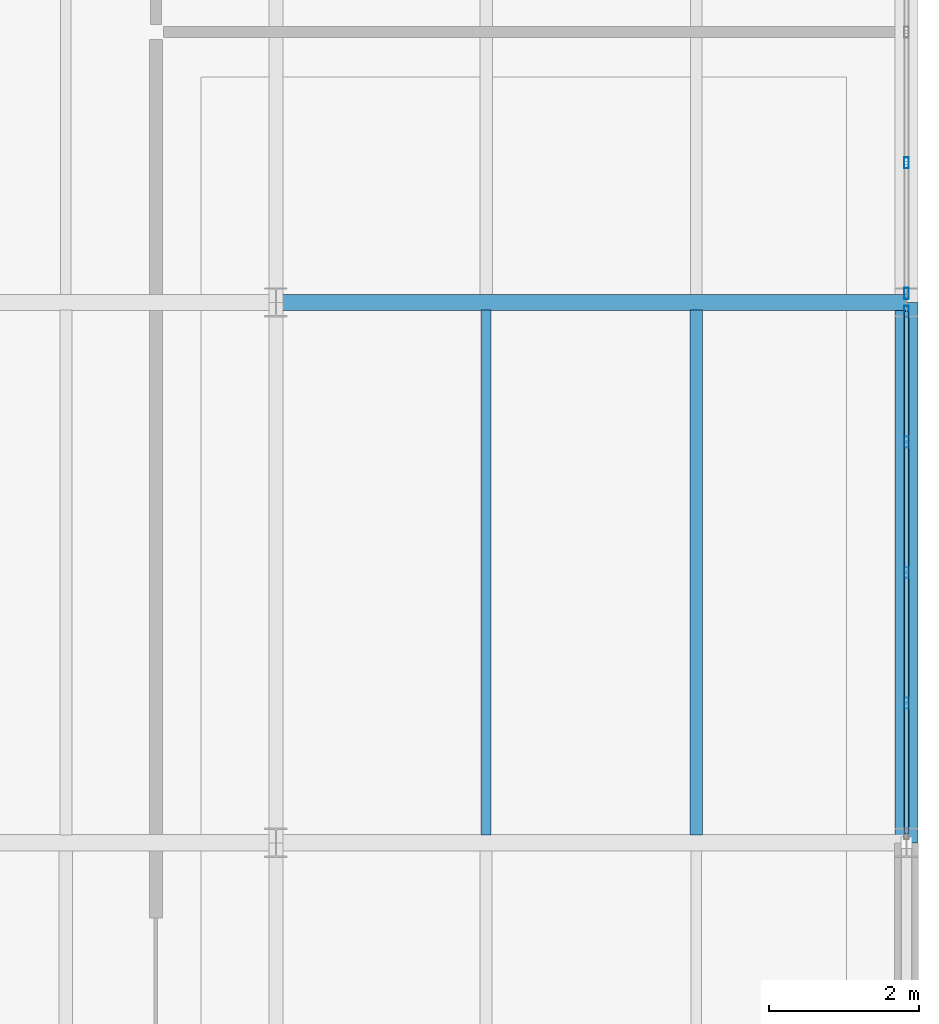
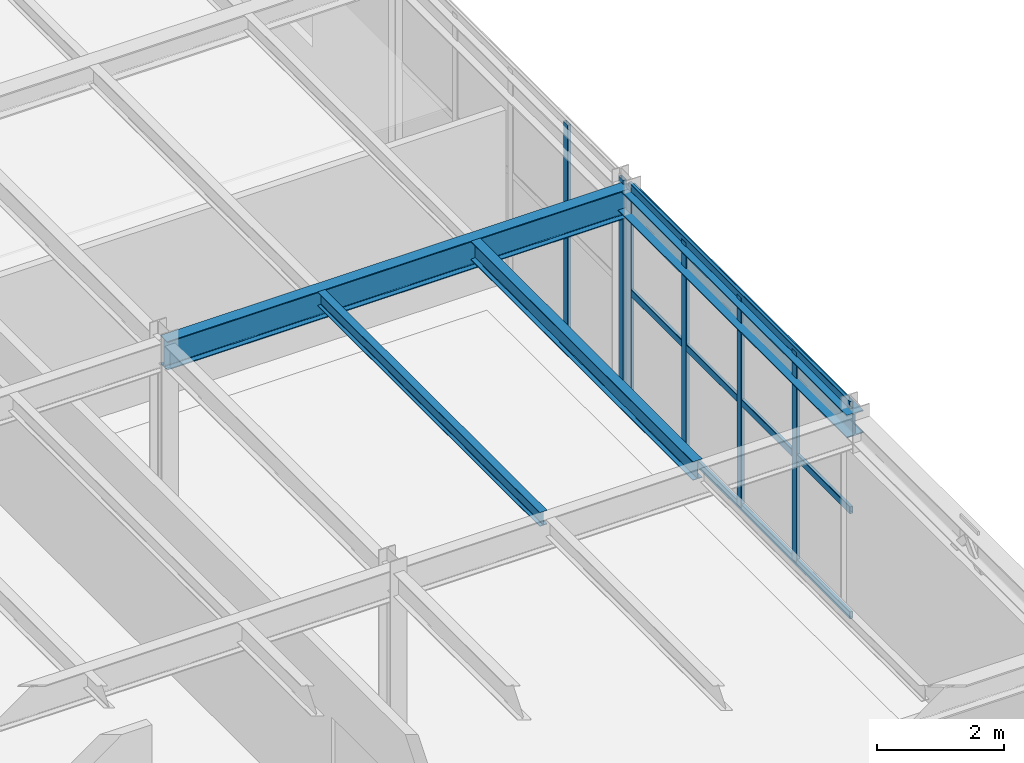
# One storey, part 75 of 134: 9 members, 4 beams, 2 elements without a shape of their own.
"""IFC4 building model written with IfcOpenShell, lengths in metres."""

import ifcopenshell
import ifcopenshell.guid

model = None  # the IFC model being written
_history = None  # IfcOwnerHistory: only IFC2X3 demands one
_inside = {}  # id of a spatial element -> (the spatial element, [elements in it])
_under = {}  # id of a project, library or spatial element -> (it, [spatial elements below it])
_declared = {}  # id of a project -> (the project, [libraries it declares])
_typed = {}  # id of a type object -> (the type object, [elements of that type])
_made_of = {}  # id of a material, layer set ... -> (it, [elements and type objects made of it])


def new_model(schema):
    """Start an empty IFC model of exactly this schema.

    Asked for "IFC4X3", IfcOpenShell would pick the latest addendum, in which some entities
    have other attributes; the version numbers below select the first issue.
    IFC2X3 requires an IfcOwnerHistory on every rooted entity: one is made here for all.
    """
    global model, _history
    if schema == "IFC4X3":
        model = ifcopenshell.file(schema_version=(4, 3, 0, 0))
    else:
        model = ifcopenshell.file(schema=schema)
    _inside.clear()
    _under.clear()
    _declared.clear()
    _typed.clear()
    _made_of.clear()
    _history = None
    if model.schema == "IFC2X3":
        org = make("IfcOrganization", Name="unknown")
        user = make(
            "IfcPersonAndOrganization",
            ThePerson=make("IfcPerson", FamilyName="unknown"),
            TheOrganization=org,
        )
        app = make(
            "IfcApplication",
            ApplicationDeveloper=org,
            Version="unknown",
            ApplicationFullName="unknown",
            ApplicationIdentifier="unknown",
        )
        _history = make(
            "IfcOwnerHistory",
            OwningUser=user,
            OwningApplication=app,
            ChangeAction="ADDED",
            CreationDate=0,
        )
    return model


def make(cls, **values):
    """One entity of the class cls with the attributes given. An attribute that is None is left unset."""
    return model.create_entity(
        cls, **{name: value for name, value in values.items() if value is not None}
    )


def rooted(cls, **values):
    """An entity with a GlobalId (a new one), such as an element, a storey or a relation."""
    return make(cls, GlobalId=ifcopenshell.guid.new(), OwnerHistory=_history, **values)


def si_unit(unit_type, name, prefix=None):
    """IfcSIUnit, for example si_unit("LENGTHUNIT", "METRE", prefix="MILLI")."""
    return make("IfcSIUnit", UnitType=unit_type, Prefix=prefix, Name=name)


def derived_unit(unit_type, elements):
    """IfcDerivedUnit: a product of units, each with its exponent."""
    return make(
        "IfcDerivedUnit",
        Elements=[
            make("IfcDerivedUnitElement", Unit=unit, Exponent=power)
            for unit, power in elements
        ],
        UnitType=unit_type,
    )


def assignment(units):
    """IfcUnitAssignment: the units of a project."""
    return None if units is None else make("IfcUnitAssignment", Units=units)


def point(xyz):
    """IfcCartesianPoint."""
    return None if xyz is None else make("IfcCartesianPoint", Coordinates=xyz)


def direction(xyz):
    """IfcDirection."""
    return None if xyz is None else make("IfcDirection", DirectionRatios=xyz)


def frame(location, z_axis=None, x_axis=None):
    """IfcAxis2Placement3D, a coordinate frame: its origin and axes. An axis left out is left unset."""
    return make(
        "IfcAxis2Placement3D",
        Location=point(location),
        Axis=direction(z_axis),
        RefDirection=direction(x_axis),
    )


def frame_2d(location, x_axis=None):
    """IfcAxis2Placement2D, a coordinate frame in the plane: its origin and x axis."""
    return make(
        "IfcAxis2Placement2D", Location=point(location), RefDirection=direction(x_axis)
    )


def origin():
    """The frame at (0, 0, 0) with its axes left unset."""
    return frame((0.0, 0.0, 0.0))


def origin_2d():
    """The frame at (0, 0) in the plane with its x axis left unset."""
    return frame_2d((0.0, 0.0))


def place(relative_to, where):
    """IfcLocalPlacement: puts the frame where relative to a parent placement (None: the world)."""
    return make(
        "IfcLocalPlacement", PlacementRelTo=relative_to, RelativePlacement=where
    )


def context(
    kind, dimensions, precision=None, world=None, true_north=None, identifier=None
):
    """IfcGeometricRepresentationContext, for example the 3D "Model" context."""
    return make(
        "IfcGeometricRepresentationContext",
        ContextIdentifier=identifier,
        ContextType=kind,
        CoordinateSpaceDimension=dimensions,
        Precision=precision,
        WorldCoordinateSystem=world,
        TrueNorth=true_north,
    )


def subcontext(parent, identifier, kind, view, scale=None):
    """IfcGeometricRepresentationSubContext, for example "Body" below "Model"."""
    return make(
        "IfcGeometricRepresentationSubContext",
        ContextIdentifier=identifier,
        ContextType=kind,
        ParentContext=parent,
        TargetScale=scale,
        TargetView=view,
    )


def project(units=None, contexts=None):
    """IfcProject with its units and contexts."""
    return rooted(
        "IfcProject",
        Name="project",
        RepresentationContexts=contexts,
        UnitsInContext=assignment(units),
    )


def spatial(cls, under=None, at=None, **own):
    """A site, building, storey or space (cls), placed at a placement, below another one or the project."""
    s = rooted(cls, ObjectPlacement=at, **own)
    if under is not None:
        _under.setdefault(under.id(), (under, []))[1].append(s)
    return s


def profile(cls, at=None, kind="AREA", **sizes):
    """A parametric profile (cls). Its sizes go by their IFC names, for example OverallWidth=200.0."""
    return make(cls, ProfileType=kind, Position=at, **sizes)


def hollow_rectangle(**sizes):
    """IfcRectangleHollowProfileDef."""
    return profile("IfcRectangleHollowProfileDef", **sizes)


def i_section(**sizes):
    """IfcIShapeProfileDef."""
    return profile("IfcIShapeProfileDef", **sizes)


def extrude(swept, where, along, depth):
    """IfcExtrudedAreaSolid: the profile swept, set in the frame where, extruded along a direction by depth."""
    return make(
        "IfcExtrudedAreaSolid",
        SweptArea=swept,
        Position=where,
        ExtrudedDirection=direction(along),
        Depth=depth,
    )


def shape(context_of_items, identifier, shape_type, items):
    """IfcShapeRepresentation: the items that make up one representation, for example the "Body"."""
    return make(
        "IfcShapeRepresentation",
        ContextOfItems=context_of_items,
        RepresentationIdentifier=identifier,
        RepresentationType=shape_type,
        Items=items,
    )


def material(Name=None, Category=None):
    """IfcMaterial."""
    return make("IfcMaterial", Name=Name, Category=Category)


def material_profile(
    of_material, cross_section, Name=None, Category=None, Priority=None
):
    """IfcMaterialProfile: a cross section and its material."""
    return make(
        "IfcMaterialProfile",
        Name=Name,
        Material=of_material,
        Profile=cross_section,
        Priority=Priority,
        Category=Category,
    )


def profile_set(profiles, Name=None, composite=None):
    """IfcMaterialProfileSet."""
    return make(
        "IfcMaterialProfileSet",
        Name=Name,
        MaterialProfiles=profiles,
        CompositeProfile=composite,
    )


def made_of(thing, what):
    """Note that an element or type object is made of a material, layer set ...; save() writes the relation."""
    if what is not None:
        _made_of.setdefault(what.id(), (what, []))[1].append(thing)
    return thing


def type_object(cls, material=None, **own):
    """A type object (cls), such as IfcWallType, which elements share."""
    return made_of(rooted(cls, **own), material)


def element(
    cls,
    number,
    at=None,
    inside=None,
    cuts=None,
    type_object=None,
    material=None,
    context=None,
    identifier="Body",
    shape_type=None,
    held_by="IfcProductDefinitionShape",
    body=None,
    shapes=None,
    **own,
):
    """One element of the class cls, such as IfcWall. Its Tag is "e" and its number.

    at: its placement. inside: the storey or other place that contains it. cuts: it is an
    opening in that element (IfcRelVoidsElement). A single representation is given by context,
    identifier, shape_type and body (its items); several are given by shapes. held_by: the class
    of the entity that holds the representations. save() writes the other relations.
    """
    e = rooted(cls, Tag="e%d" % number, ObjectPlacement=at, **own)
    if body is not None:
        shapes = [shape(context, identifier, shape_type, body)]
    if shapes is not None:
        e.Representation = make(held_by, Representations=shapes)
    if inside is not None:
        _inside.setdefault(inside.id(), (inside, []))[1].append(e)
    if cuts is not None:
        rooted(
            "IfcRelVoidsElement", RelatingBuildingElement=cuts, RelatedOpeningElement=e
        )
    if type_object is not None:
        _typed.setdefault(type_object.id(), (type_object, []))[1].append(e)
    return made_of(e, material)


def aggregate(whole, parts):
    """IfcRelAggregates: a whole, such as a stair, and the parts it consists of."""
    return rooted("IfcRelAggregates", RelatingObject=whole, RelatedObjects=parts)


def save(model, path):
    """Write the relations noted so far, then the file.

    IfcRelAggregates (storeys below a building ...), IfcRelContainedInSpatialStructure (elements
    in a storey), IfcRelDefinesByType, IfcRelAssociatesMaterial and IfcRelDeclares: one each for
    every whole, place, type object, material and project.
    """
    for whole, parts in _under.values():
        aggregate(whole, parts)
    for where, things in _inside.values():
        rooted(
            "IfcRelContainedInSpatialStructure",
            RelatedElements=things,
            RelatingStructure=where,
        )
    for kind, things in _typed.values():
        rooted("IfcRelDefinesByType", RelatedObjects=things, RelatingType=kind)
    for what, things in _made_of.values():
        rooted("IfcRelAssociatesMaterial", RelatedObjects=things, RelatingMaterial=what)
    for by, libraries in _declared.values():
        rooted("IfcRelDeclares", RelatingContext=by, RelatedDefinitions=libraries)
    model.write(path)


model = new_model("IFC4")

# Units and contexts
model_context = context("Model", 3, precision=1e-05, world=origin(), true_north=direction((0.0, 1.0)))
body_context = subcontext(model_context, "Body", "Model", "MODEL_VIEW")
ifc_project = project(units=[si_unit("LENGTHUNIT", "METRE"), si_unit("AREAUNIT", "SQUARE_METRE"), si_unit("VOLUMEUNIT", "CUBIC_METRE"), si_unit("PLANEANGLEUNIT", "RADIAN"), si_unit("MASSUNIT", "GRAM", prefix="KILO"), derived_unit("THERMALTRANSMITTANCEUNIT", [(si_unit("MASSUNIT", "GRAM", prefix="KILO"), 1), (si_unit("TIMEUNIT", "SECOND"), -3), (si_unit("THERMODYNAMICTEMPERATUREUNIT", "KELVIN"), -1)])], contexts=[model_context])

# Site, building, storey
site_placement = place(None, origin())
site = spatial("IfcSite", under=ifc_project, at=site_placement, CompositionType="ELEMENT")
building_placement = place(site_placement, origin())
building = spatial("IfcBuilding", under=site, at=building_placement, Name="Kharveza Railside Sports Centre", CompositionType="ELEMENT")
storey_placement = place(building_placement, frame((0.0, 0.0, 12.89990234375)))
storey = spatial("IfcBuildingStorey", under=building, at=storey_placement, Name="L03", CompositionType="ELEMENT", Elevation=12.89990234375)

# Beams
ifc_material_1 = material(Name="Steel S355J2", Category="steel")
ifc_material_profile_1 = material_profile(ifc_material_1, i_section(OverallWidth=0.2099609375, OverallDepth=0.550048828125, WebThickness=0.010986328125, FlangeThickness=0.01708984375, FilletRadius=0.02392578125, at=origin_2d()), Name="IPE 550")
ifc_profile_set_1 = profile_set([ifc_material_profile_1], Name="Steel S355J2")
beam_type_1 = type_object("IfcBeamType", Name="BM-G02", PredefinedType="T_BEAM", material=ifc_profile_set_1)
beam_1_placement = place(storey_placement, frame((159.60009765625, 36.0, 3.68505859375), z_axis=(1.0, 0.0, 0.0), x_axis=(0.0, 1.0, 0.0)))
element("IfcBeam", 1, at=beam_1_placement, inside=storey, type_object=beam_type_1, Name="BM-EW-L03-B02-X1596-Y360", PredefinedType="T_BEAM", context=body_context, shape_type="SweptSolid", body=[
    extrude(i_section(OverallWidth=0.2099609375, OverallDepth=0.550048828125, WebThickness=0.010986328125, FlangeThickness=0.01708984375, FilletRadius=0.02392578125, at=origin_2d()), origin(), (0.0, 0.0, 1.0), 8.39990234375),
])
ifc_material_profile_2 = material_profile(ifc_material_1, i_section(OverallWidth=0.169921875, OverallDepth=0.360107421875, WebThickness=0.008056640625, FlangeThickness=0.0126953125, FilletRadius=0.01806640625, at=origin_2d()), Name="IPE 360")
ifc_profile_set_2 = profile_set([ifc_material_profile_2], Name="Steel S355J2")
beam_type_2 = type_object("IfcBeamType", Name="BM-S02", PredefinedType="BEAM", material=ifc_profile_set_2)
beam_2_placement = place(storey_placement, frame((165.199951171875, 28.906982421875, 3.780029296875), z_axis=(0.0, 1.0, 0.0), x_axis=(-1.0, 0.0, 0.0)))
element("IfcBeam", 2, at=beam_2_placement, inside=storey, type_object=beam_type_2, Name="BM-SEC-L03-B10-X1652-Y288", PredefinedType="BEAM", context=body_context, shape_type="SweptSolid", body=[
    extrude(i_section(OverallWidth=0.169921875, OverallDepth=0.360107421875, WebThickness=0.008056640625, FlangeThickness=0.0126953125, FilletRadius=0.01806640625, at=origin_2d()), origin(), (0.0, 0.0, 1.0), 6.990966796875),
])
ifc_material_profile_3 = material_profile(ifc_material_1, i_section(OverallWidth=0.135009765625, OverallDepth=0.27001953125, WebThickness=0.006591796875, FlangeThickness=0.01025390625, FilletRadius=0.014892578125, at=origin_2d()), Name="IPE 270")
ifc_profile_set_3 = profile_set([ifc_material_profile_3], Name="Steel S355J2")
beam_type_3 = type_object("IfcBeamType", Name="BM-S05", PredefinedType="BEAM", material=ifc_profile_set_3)
beam_3_placement = place(storey_placement, frame((162.39990234375, 28.906982421875, 3.8251953125), z_axis=(0.0, 1.0, 0.0), x_axis=(-1.0, 0.0, 0.0)))
element("IfcBeam", 3, at=beam_3_placement, inside=storey, type_object=beam_type_3, Name="BM-SEC-L03-B13-X1624-Y288", PredefinedType="BEAM", context=body_context, shape_type="SweptSolid", body=[
    extrude(i_section(OverallWidth=0.135009765625, OverallDepth=0.27001953125, WebThickness=0.006591796875, FlangeThickness=0.01025390625, FilletRadius=0.014892578125, at=origin_2d()), origin(), (0.0, 0.0, 1.0), 6.990966796875),
])
ifc_material_profile_4 = material_profile(ifc_material_1, i_section(OverallWidth=0.300048828125, OverallDepth=0.43994140625, WebThickness=0.011474609375, FlangeThickness=0.02099609375, FilletRadius=0.027099609375, at=origin_2d()), Name="HEA 450")
ifc_profile_set_4 = profile_set([ifc_material_profile_4], Name="Steel S355J2")
beam_type_4 = type_object("IfcBeamType", Name="BM-SP01", PredefinedType="SPANDREL", material=ifc_profile_set_4)
beam_4_placement = place(storey_placement, frame((168.0, 28.800048828125, 3.739990234375), z_axis=(0.0, 1.0, 0.0), x_axis=(-1.0, 0.0, 0.0)))
element("IfcBeam", 4, at=beam_4_placement, inside=storey, type_object=beam_type_4, Name="BM-NS-L03-B15-X1680-Y288", PredefinedType="SPANDREL", context=body_context, shape_type="SweptSolid", body=[
    extrude(i_section(OverallWidth=0.300048828125, OverallDepth=0.43994140625, WebThickness=0.011474609375, FlangeThickness=0.02099609375, FilletRadius=0.027099609375, at=origin_2d()), origin(), (0.0, 0.0, 1.0), 7.199951171875),
])

# Curtain wall, members
ifc_material_2 = material(Name="Low-E solar-control laminated glass", Category="glass")
curtain_wall_type = type_object("IfcCurtainWallType", Name="CW-WG02", PredefinedType="NOTDEFINED", material=ifc_material_2)
curtain_wall_1_placement = place(storey_placement, origin())
curtain_wall_1 = element("IfcCurtainWall", 5, at=curtain_wall_1_placement, inside=storey, type_object=curtain_wall_type, Name="CW-WG-L03-CW-WG02-X1680-Y324", PredefinedType="NOTDEFINED")
ifc_material_3 = material(Name="Anodised aluminium 6063-T6", Category="aluminium")
ifc_material_profile_5 = material_profile(ifc_material_3, hollow_rectangle(XDim=0.06494140625, YDim=0.14990234375, WallThickness=0.0048828125, InnerFilletRadius=0.0048828125, OuterFilletRadius=0.010009765625, at=origin_2d()), Name="RHS 65x150x5.0")
ifc_profile_set_5 = profile_set([ifc_material_profile_5], Name="Anodised aluminium 6063-T6")
member_type_1 = type_object("IfcMemberType", Name="CW-ML04", PredefinedType="MULLION", material=ifc_profile_set_5)
member_1_placement = place(storey_placement, frame((168.0, 30.659912109375, 0.0), z_axis=(0.0, 0.0, 1.0), x_axis=(1.0, 0.0, 0.0)))
member_1 = element("IfcMember", 6, at=member_1_placement, type_object=member_type_1, Name="CW-WG-L03-CW-WG02-X1680-Y324-ML2", PredefinedType="MULLION", context=body_context, shape_type="SweptSolid", body=[
    extrude(hollow_rectangle(XDim=0.06494140625, YDim=0.14990234375, WallThickness=0.0048828125, InnerFilletRadius=0.0048828125, OuterFilletRadius=0.010009765625, at=origin_2d()), origin(), (0.0, 0.0, 1.0), 4.03515625),
])
member_2_placement = place(storey_placement, frame((168.0, 32.39990234375, 0.0), z_axis=(0.0, 0.0, 1.0), x_axis=(1.0, 0.0, 0.0)))
member_2 = element("IfcMember", 7, at=member_2_placement, type_object=member_type_1, Name="CW-WG-L03-CW-WG02-X1680-Y324-ML3", PredefinedType="MULLION", context=body_context, shape_type="SweptSolid", body=[
    extrude(hollow_rectangle(XDim=0.06494140625, YDim=0.14990234375, WallThickness=0.0048828125, InnerFilletRadius=0.0048828125, OuterFilletRadius=0.010009765625, at=origin_2d()), origin(), (0.0, 0.0, 1.0), 4.03515625),
])
member_3_placement = place(storey_placement, frame((168.0, 34.139892578125, 0.0), z_axis=(0.0, 0.0, 1.0), x_axis=(1.0, 0.0, 0.0)))
member_3 = element("IfcMember", 8, at=member_3_placement, type_object=member_type_1, Name="CW-WG-L03-CW-WG02-X1680-Y324-ML4", PredefinedType="MULLION", context=body_context, shape_type="SweptSolid", body=[
    extrude(hollow_rectangle(XDim=0.06494140625, YDim=0.14990234375, WallThickness=0.0048828125, InnerFilletRadius=0.0048828125, OuterFilletRadius=0.010009765625, at=origin_2d()), origin(), (0.0, 0.0, 1.0), 4.03515625),
])
member_4_placement = place(storey_placement, frame((168.0, 35.8798828125, 0.0), z_axis=(0.0, 0.0, 1.0), x_axis=(1.0, 0.0, 0.0)))
member_4 = element("IfcMember", 9, at=member_4_placement, type_object=member_type_1, Name="CW-WG-L03-CW-WG02-X1680-Y324-ML5", PredefinedType="MULLION", context=body_context, shape_type="SweptSolid", body=[
    extrude(hollow_rectangle(XDim=0.06494140625, YDim=0.14990234375, WallThickness=0.0048828125, InnerFilletRadius=0.0048828125, OuterFilletRadius=0.010009765625, at=origin_2d()), origin(), (0.0, 0.0, 1.0), 4.03515625),
])

curtain_wall_2_placement = place(storey_placement, origin())
curtain_wall_2 = element("IfcCurtainWall", 10, at=curtain_wall_2_placement, inside=storey, type_object=curtain_wall_type, Name="CW-WG-L03-CW-WG02-X1680-Y396", PredefinedType="NOTDEFINED")
member_5_placement = place(storey_placement, frame((168.0, 36.1201171875, 0.0), z_axis=(0.0, 0.0, 1.0), x_axis=(1.0, 0.0, 0.0)))
member_5 = element("IfcMember", 11, at=member_5_placement, type_object=member_type_1, Name="CW-WG-L03-CW-WG02-X1680-Y396-ML1", PredefinedType="MULLION", context=body_context, shape_type="SweptSolid", body=[
    extrude(hollow_rectangle(XDim=0.06494140625, YDim=0.14990234375, WallThickness=0.0048828125, InnerFilletRadius=0.0048828125, OuterFilletRadius=0.010009765625, at=origin_2d()), origin(), (0.0, 0.0, 1.0), 4.03515625),
])
member_6_placement = place(storey_placement, frame((168.0, 37.860107421875, 0.0), z_axis=(0.0, 0.0, 1.0), x_axis=(1.0, 0.0, 0.0)))
member_6 = element("IfcMember", 12, at=member_6_placement, type_object=member_type_1, Name="CW-WG-L03-CW-WG02-X1680-Y396-ML2", PredefinedType="MULLION", context=body_context, shape_type="SweptSolid", body=[
    extrude(hollow_rectangle(XDim=0.06494140625, YDim=0.14990234375, WallThickness=0.0048828125, InnerFilletRadius=0.0048828125, OuterFilletRadius=0.010009765625, at=origin_2d()), origin(), (0.0, 0.0, 1.0), 4.03515625),
])
aggregate(curtain_wall_2, [member_5, member_6])

# Member
ifc_material_profile_6 = material_profile(ifc_material_3, hollow_rectangle(XDim=0.06005859375, YDim=0.139892578125, WallThickness=0.0048828125, InnerFilletRadius=0.0048828125, OuterFilletRadius=0.010009765625, at=origin_2d()), Name="RHS 60x140x5.0")
ifc_profile_set_6 = profile_set([ifc_material_profile_6], Name="Anodised aluminium 6063-T6")
member_type_2 = type_object("IfcMemberType", Name="CW-TR04", PredefinedType="USERDEFINED", material=ifc_profile_set_6)
member_7_placement = place(storey_placement, frame((168.0, 28.919921875, 0.0), z_axis=(0.0, 1.0, 0.0), x_axis=(-1.0, 0.0, 0.0)))
member_7 = element("IfcMember", 13, at=member_7_placement, type_object=member_type_2, Name="CW-WG-L03-CW-WG02-X1680-Y324-TR1", ObjectType="TRANSOM", PredefinedType="USERDEFINED", context=body_context, shape_type="SweptSolid", body=[
    extrude(hollow_rectangle(XDim=0.06005859375, YDim=0.139892578125, WallThickness=0.0048828125, InnerFilletRadius=0.0048828125, OuterFilletRadius=0.010009765625, at=origin_2d()), origin(), (0.0, 0.0, 1.0), 6.9599609375),
])

member_8_placement = place(storey_placement, frame((168.0, 28.919921875, 2.017578125), z_axis=(0.0, 1.0, 0.0), x_axis=(-1.0, 0.0, 0.0)))
member_8 = element("IfcMember", 14, at=member_8_placement, type_object=member_type_2, Name="CW-WG-L03-CW-WG02-X1680-Y324-TR2", ObjectType="TRANSOM", PredefinedType="USERDEFINED", context=body_context, shape_type="SweptSolid", body=[
    extrude(hollow_rectangle(XDim=0.06005859375, YDim=0.139892578125, WallThickness=0.0048828125, InnerFilletRadius=0.0048828125, OuterFilletRadius=0.010009765625, at=origin_2d()), origin(), (0.0, 0.0, 1.0), 6.9599609375),
])

member_9_placement = place(storey_placement, frame((168.0, 28.919921875, 4.03515625), z_axis=(0.0, 1.0, 0.0), x_axis=(-1.0, 0.0, 0.0)))
member_9 = element("IfcMember", 15, at=member_9_placement, type_object=member_type_2, Name="CW-WG-L03-CW-WG02-X1680-Y324-TR3", ObjectType="TRANSOM", PredefinedType="USERDEFINED", context=body_context, shape_type="SweptSolid", body=[
    extrude(hollow_rectangle(XDim=0.06005859375, YDim=0.139892578125, WallThickness=0.0048828125, InnerFilletRadius=0.0048828125, OuterFilletRadius=0.010009765625, at=origin_2d()), origin(), (0.0, 0.0, 1.0), 6.9599609375),
])

aggregate(curtain_wall_1, [member_1, member_2, member_3, member_4, member_7, member_8, member_9])

save(model, "model.ifc")
